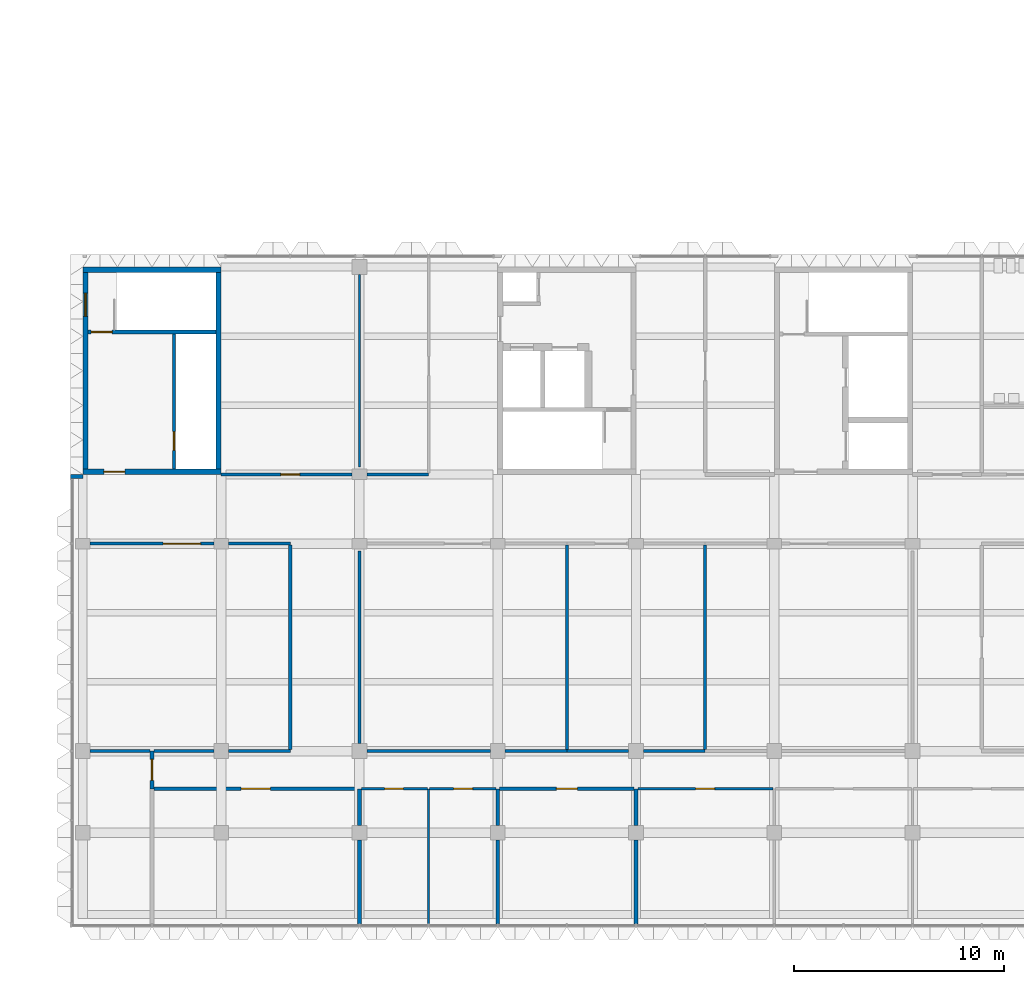
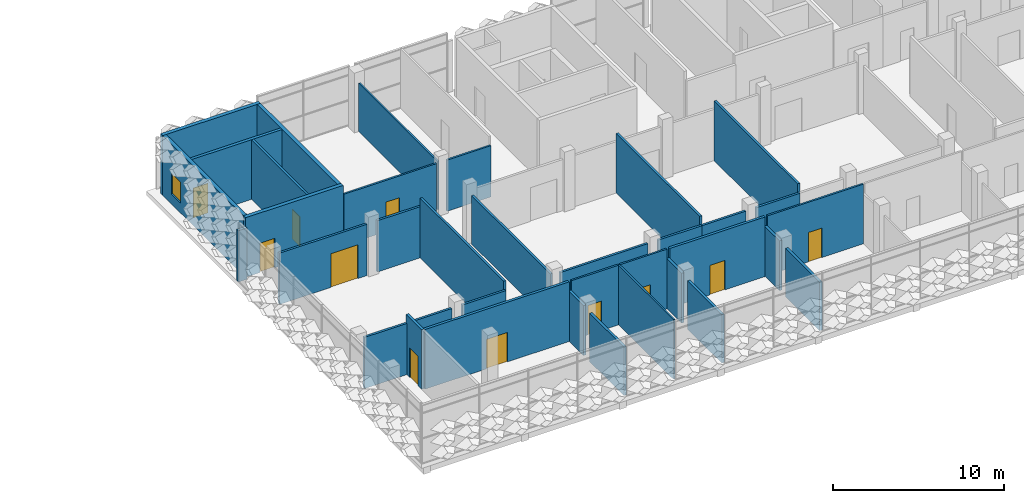
# One storey, part 18 of 61: 36 walls, 11 doors, 1 window, 12 openings.
"""IFC4 building model written with IfcOpenShell, lengths in metres."""

from ifc_helpers import new_model, si_unit, direction, frame, frame_2d, origin, place, context, subcontext, project, spatial, rectangle, extrude, material, layer, layer_set, type_object, element, fill, save


model = new_model("IFC4")

# Units and contexts
model_context = context("Model", 3, precision=1e-05, world=origin(), true_north=direction((0.0, 1.0)))
body_context = subcontext(model_context, "Body", "Model", "MODEL_VIEW")
ifc_project = project(units=[si_unit("LENGTHUNIT", "METRE"), si_unit("AREAUNIT", "SQUARE_METRE"), si_unit("VOLUMEUNIT", "CUBIC_METRE"), si_unit("PLANEANGLEUNIT", "RADIAN"), si_unit("MASSUNIT", "GRAM", prefix="KILO")], contexts=[model_context])

# Site, building, storey
site_placement = place(None, origin())
site = spatial("IfcSite", under=ifc_project, at=site_placement, CompositionType="ELEMENT")
building_placement = place(site_placement, origin())
building = spatial("IfcBuilding", under=site, at=building_placement, Name="Lantern Court Research Institute", CompositionType="ELEMENT")
storey_placement = place(building_placement, frame((0.0, 0.0, 23.39990234375)))
storey = spatial("IfcBuildingStorey", under=building, at=storey_placement, Name="L05", CompositionType="ELEMENT", Elevation=23.39990234375)

# Wall, opening, door
ifc_material_1 = material(Name="Double-stud acoustic gypsum board partition, mineral wool filled")
ifc_layer_1 = layer(ifc_material_1, 0.175048828125)
ifc_layer_set_1 = layer_set([ifc_layer_1], Name="Double-stud acoustic gypsum board partition, mineral wool filled")
wall_type_1 = type_object("IfcWallType", Name="Acoustic partition 175 EI 60", PredefinedType="PARTITIONING", material=ifc_layer_set_1)
wall_1_placement = place(storey_placement, frame((3.300048828125, -1.800048828125, 0.0), z_axis=(0.0, 0.0, 1.0), x_axis=(0.0, 1.0, 0.0)))
wall_1 = element("IfcWall", 1, at=wall_1_placement, inside=storey, type_object=wall_type_1, Name="Acoustic partition 175 EI 60", PredefinedType="PARTITIONING", context=body_context, shape_type="SweptSolid", body=[
    extrude(rectangle(XDim=1.800048828125, YDim=0.175048828125, at=frame_2d((0.89990234375, 0.0))), origin(), (0.0, 0.0, 1.0), 4.25),
])
opening_1_placement = place(wall_1_placement, frame((0.39990234375, 0.0, 0.0)))
opening_1 = element("IfcOpeningElement", 2, at=opening_1_placement, cuts=wall_1, Name="Opening D4512", PredefinedType="OPENING", context=body_context, shape_type="SweptSolid", body=[
    extrude(rectangle(XDim=1.0, YDim=2.10009765625, at=frame_2d((0.5, 1.050048828125))), frame((0.0, 0.097412109375, 0.0), z_axis=(0.0, -1.0, 0.0), x_axis=(1.0, 0.0, 0.0)), (0.0, 0.0, 1.0), 0.195068359375),
])
ifc_material_2 = material(Name="Solid-core timber door leaf", Category="wood")
ifc_layer_2 = layer(ifc_material_2, 0.053955078125)
ifc_layer_set_2 = layer_set([ifc_layer_2], Name="Solid-core timber door leaf")
door_type_1 = type_object("IfcDoorType", Name="Meeting room door 1000 x 2100 single FD30S", OperationType="NOTDEFINED", PredefinedType="DOOR", material=ifc_layer_set_2)
door_1_placement = place(opening_1_placement, origin())
door_1 = element("IfcDoor", 3, at=door_1_placement, inside=storey, type_object=door_type_1, Name="Door D4512", OperationType="SINGLE_SWING_LEFT", OverallHeight=2.10009765625, OverallWidth=1.0, PredefinedType="DOOR", context=body_context, shape_type="SweptSolid", body=[
    extrude(rectangle(XDim=1.0, YDim=2.10009765625, at=frame_2d((0.5, 1.050048828125))), frame((0.0, 0.02685546875, 0.0), z_axis=(0.0, -1.0, 0.0), x_axis=(1.0, 0.0, 0.0)), (0.0, 0.0, 1.0), 0.053955078125),
])
fill(opening_1, door_1)

# Walls
wall_2_placement = place(storey_placement, frame((13.199951171875, -8.25, 0.0), z_axis=(0.0, 0.0, 1.0), x_axis=(0.0, 1.0, 0.0)))
element("IfcWall", 4, at=wall_2_placement, inside=storey, type_object=wall_type_1, Name="Acoustic partition 175 EI 60", PredefinedType="PARTITIONING", context=body_context, shape_type="SweptSolid", body=[
    extrude(rectangle(XDim=4.0, YDim=0.175048828125, at=frame_2d((2.0, 0.0))), origin(), (0.0, 0.0, 1.0), 3.4501953125),
])
wall_3_placement = place(storey_placement, frame((13.199951171875, -3.550048828125, 0.0), z_axis=(0.0, 0.0, 1.0), x_axis=(0.0, 1.0, 0.0)))
element("IfcWall", 5, at=wall_3_placement, inside=storey, type_object=wall_type_1, Name="Acoustic partition 175 EI 60", PredefinedType="PARTITIONING", context=body_context, shape_type="SweptSolid", body=[
    extrude(rectangle(XDim=1.75, YDim=0.175048828125, at=frame_2d((0.875, 0.0))), origin(), (0.0, 0.0, 1.0), 3.550048828125),
])

# Wall, opening, door
wall_4_placement = place(storey_placement, frame((13.112548828125, -1.800048828125, 0.0), z_axis=(0.0, 0.0, 1.0), x_axis=(-1.0, 0.0, 0.0)))
wall_4 = element("IfcWall", 6, at=wall_4_placement, inside=storey, type_object=wall_type_1, Name="Acoustic partition 175 EI 60", PredefinedType="PARTITIONING", context=body_context, shape_type="SweptSolid", body=[
    extrude(rectangle(XDim=9.72509765625, YDim=0.175048828125, at=frame_2d((4.862548828125, 0.0))), origin(), (0.0, 0.0, 1.0), 4.25),
])
opening_2_placement = place(wall_4_placement, frame((4.16259765625, 0.0, 0.0)))
opening_2 = element("IfcOpeningElement", 7, at=opening_2_placement, cuts=wall_4, Name="Opening D4513", PredefinedType="OPENING", context=body_context, shape_type="SweptSolid", body=[
    extrude(rectangle(XDim=1.39990234375, YDim=2.10009765625, at=frame_2d((0.699951171875, 1.050048828125))), frame((0.0, 0.097412109375, 0.0), z_axis=(0.0, -1.0, 0.0), x_axis=(1.0, 0.0, 0.0)), (0.0, 0.0, 1.0), 0.195068359375),
])
ifc_material_3 = material(Name="Solid-core timber door leaf", Category="wood")
ifc_layer_3 = layer(ifc_material_3, 0.053955078125)
ifc_layer_set_3 = layer_set([ifc_layer_3], Name="Solid-core timber door leaf")
door_type_2 = type_object("IfcDoorType", Name="Seminar room door 1400 x 2100 pair FD30S", OperationType="DOUBLE_DOOR_SINGLE_SWING", PredefinedType="DOOR", material=ifc_layer_set_3)
door_2_placement = place(opening_2_placement, origin())
door_2 = element("IfcDoor", 8, at=door_2_placement, inside=storey, type_object=door_type_2, Name="Door D4513", OperationType="DOUBLE_DOOR_SINGLE_SWING", OverallHeight=2.10009765625, OverallWidth=1.39990234375, PredefinedType="DOOR", context=body_context, shape_type="SweptSolid", body=[
    extrude(rectangle(XDim=1.39990234375, YDim=2.10009765625, at=frame_2d((0.699951171875, 1.050048828125))), frame((0.0, 0.02685546875, 0.0), z_axis=(0.0, -1.0, 0.0), x_axis=(1.0, 0.0, 0.0)), (0.0, 0.0, 1.0), 0.053955078125),
])
fill(opening_2, door_2)

# Walls
wall_5_placement = place(storey_placement, frame((19.800048828125, -8.25, 0.0), z_axis=(0.0, 0.0, 1.0), x_axis=(0.0, 1.0, 0.0)))
element("IfcWall", 9, at=wall_5_placement, inside=storey, type_object=wall_type_1, Name="Acoustic partition 175 EI 60", PredefinedType="PARTITIONING", context=body_context, shape_type="SweptSolid", body=[
    extrude(rectangle(XDim=4.0, YDim=0.175048828125, at=frame_2d((2.0, 0.0))), origin(), (0.0, 0.0, 1.0), 3.4501953125),
])
wall_6_placement = place(storey_placement, frame((19.800048828125, -3.550048828125, 0.0), z_axis=(0.0, 0.0, 1.0), x_axis=(0.0, 1.0, 0.0)))
element("IfcWall", 10, at=wall_6_placement, inside=storey, type_object=wall_type_1, Name="Acoustic partition 175 EI 60", PredefinedType="PARTITIONING", context=body_context, shape_type="SweptSolid", body=[
    extrude(rectangle(XDim=1.75, YDim=0.175048828125, at=frame_2d((0.875, 0.0))), origin(), (0.0, 0.0, 1.0), 3.550048828125),
])
wall_7_placement = place(storey_placement, frame((26.39990234375, -8.25, 0.0), z_axis=(0.0, 0.0, 1.0), x_axis=(0.0, 1.0, 0.0)))
element("IfcWall", 11, at=wall_7_placement, inside=storey, type_object=wall_type_1, Name="Acoustic partition 175 EI 60", PredefinedType="PARTITIONING", context=body_context, shape_type="SweptSolid", body=[
    extrude(rectangle(XDim=4.0, YDim=0.175048828125, at=frame_2d((2.0, 0.0))), origin(), (0.0, 0.0, 1.0), 3.4501953125),
])
wall_8_placement = place(storey_placement, frame((26.39990234375, -3.550048828125, 0.0), z_axis=(0.0, 0.0, 1.0), x_axis=(0.0, 1.0, 0.0)))
element("IfcWall", 12, at=wall_8_placement, inside=storey, type_object=wall_type_1, Name="Acoustic partition 175 EI 60", PredefinedType="PARTITIONING", context=body_context, shape_type="SweptSolid", body=[
    extrude(rectangle(XDim=1.75, YDim=0.175048828125, at=frame_2d((0.875, 0.0))), origin(), (0.0, 0.0, 1.0), 3.550048828125),
])

# Wall, opening, door
wall_9_placement = place(storey_placement, frame((26.3125, -1.800048828125, 0.0), z_axis=(0.0, 0.0, 1.0), x_axis=(-1.0, 0.0, 0.0)))
wall_9 = element("IfcWall", 13, at=wall_9_placement, inside=storey, type_object=wall_type_1, Name="Acoustic partition 175 EI 60", PredefinedType="PARTITIONING", context=body_context, shape_type="SweptSolid", body=[
    extrude(rectangle(XDim=6.425048828125, YDim=0.175048828125, at=frame_2d((3.21240234375, 0.0))), origin(), (0.0, 0.0, 1.0), 4.25),
])
opening_3_placement = place(wall_9_placement, frame((2.71240234375, 0.0, 0.0)))
opening_3 = element("IfcOpeningElement", 14, at=opening_3_placement, cuts=wall_9, Name="Opening D4516", PredefinedType="OPENING", context=body_context, shape_type="SweptSolid", body=[
    extrude(rectangle(XDim=1.0, YDim=2.10009765625, at=frame_2d((0.5, 1.050048828125))), frame((0.0, 0.097412109375, 0.0), z_axis=(0.0, -1.0, 0.0), x_axis=(1.0, 0.0, 0.0)), (0.0, 0.0, 1.0), 0.195068359375),
])
door_3_placement = place(opening_3_placement, origin())
door_3 = element("IfcDoor", 15, at=door_3_placement, inside=storey, type_object=door_type_1, Name="Door D4516", OperationType="SINGLE_SWING_LEFT", OverallHeight=2.10009765625, OverallWidth=1.0, PredefinedType="DOOR", context=body_context, shape_type="SweptSolid", body=[
    extrude(rectangle(XDim=1.0, YDim=2.10009765625, at=frame_2d((0.5, 1.050048828125))), frame((0.0, 0.02685546875, 0.0), z_axis=(0.0, -1.0, 0.0), x_axis=(1.0, 0.0, 0.0)), (0.0, 0.0, 1.0), 0.053955078125),
])
fill(opening_3, door_3)

ifc_material_4 = material(Name="Fire-rated gypsum board partition, mineral wool filled")
ifc_layer_4 = layer(ifc_material_4, 0.125)
ifc_layer_set_4 = layer_set([ifc_layer_4], Name="Fire-rated gypsum board partition, mineral wool filled")
wall_type_2 = type_object("IfcWallType", Name="Corridor partition 125 EI 60", PredefinedType="PARTITIONING", material=ifc_layer_set_4)
wall_10_placement = place(storey_placement, frame((6.60009765625, 13.199951171875, 0.0), z_axis=(0.0, 0.0, 1.0), x_axis=(1.0, 0.0, 0.0)))
wall_10 = element("IfcWall", 16, at=wall_10_placement, inside=storey, type_object=wall_type_2, Name="Corridor partition 125 EI 60", PredefinedType="PARTITIONING", context=body_context, shape_type="SweptSolid", body=[
    extrude(rectangle(XDim=6.25, YDim=0.125, at=frame_2d((3.125, 0.0))), origin(), (0.0, 0.0, 1.0), 3.650146484375),
])
opening_4_placement = place(wall_10_placement, frame((2.849853515625, 0.0, 0.0)))
opening_4 = element("IfcOpeningElement", 17, at=opening_4_placement, cuts=wall_10, Name="Opening D4502", PredefinedType="OPENING", context=body_context, shape_type="SweptSolid", body=[
    extrude(rectangle(XDim=0.89990234375, YDim=2.10009765625, at=frame_2d((0.449951171875, 1.050048828125))), frame((0.0, 0.072509765625, 0.0), z_axis=(0.0, -1.0, 0.0), x_axis=(1.0, 0.0, 0.0)), (0.0, 0.0, 1.0), 0.14501953125),
])
ifc_material_5 = material(Name="Solid-core timber door leaf", Category="wood")
ifc_layer_5 = layer(ifc_material_5, 0.053955078125)
ifc_layer_set_5 = layer_set([ifc_layer_5], Name="Solid-core timber door leaf")
door_type_3 = type_object("IfcDoorType", Name="Office door 900 x 2100 single FD30S", OperationType="NOTDEFINED", PredefinedType="DOOR", material=ifc_layer_set_5)
door_4_placement = place(opening_4_placement, origin())
door_4 = element("IfcDoor", 18, at=door_4_placement, inside=storey, type_object=door_type_3, Name="Door D4502", OperationType="SINGLE_SWING_RIGHT", OverallHeight=2.10009765625, OverallWidth=0.89990234375, PredefinedType="DOOR", context=body_context, shape_type="SweptSolid", body=[
    extrude(rectangle(XDim=0.89990234375, YDim=2.10009765625, at=frame_2d((0.449951171875, 1.050048828125))), frame((0.0, 0.02685546875, 0.0), z_axis=(0.0, -1.0, 0.0), x_axis=(1.0, 0.0, 0.0)), (0.0, 0.0, 1.0), 0.053955078125),
])
fill(opening_4, door_4)

# Wall
wall_11_placement = place(storey_placement, frame((16.5, 13.199951171875, 0.0), z_axis=(0.0, 0.0, 1.0), x_axis=(-1.0, 0.0, 0.0)))
element("IfcWall", 19, at=wall_11_placement, inside=storey, type_object=wall_type_2, Name="Corridor partition 125 EI 60", PredefinedType="PARTITIONING", context=body_context, shape_type="SweptSolid", body=[
    extrude(rectangle(XDim=2.949951171875, YDim=0.125, at=frame_2d((1.47509765625, 0.0))), origin(), (0.0, 0.0, 1.0), 3.650146484375),
])

# Wall, opening, door
wall_12_placement = place(storey_placement, frame((16.445068359375, -1.800048828125, 0.0), z_axis=(0.0, 0.0, 1.0), x_axis=(-1.0, 0.0, 0.0)))
wall_12 = element("IfcWall", 20, at=wall_12_placement, inside=storey, type_object=wall_type_2, Name="Corridor partition 125 EI 60", PredefinedType="PARTITIONING", context=body_context, shape_type="SweptSolid", body=[
    extrude(rectangle(XDim=3.157470703125, YDim=0.125, at=frame_2d((1.57861328125, 0.0))), origin(), (0.0, 0.0, 1.0), 4.25),
])
opening_5_placement = place(wall_12_placement, frame((1.14501953125, 0.0, 0.0)))
opening_5 = element("IfcOpeningElement", 21, at=opening_5_placement, cuts=wall_12, Name="Opening D4514", PredefinedType="OPENING", context=body_context, shape_type="SweptSolid", body=[
    extrude(rectangle(XDim=0.89990234375, YDim=2.10009765625, at=frame_2d((0.449951171875, 1.050048828125))), frame((0.0, 0.072509765625, 0.0), z_axis=(0.0, -1.0, 0.0), x_axis=(1.0, 0.0, 0.0)), (0.0, 0.0, 1.0), 0.14501953125),
])
door_5_placement = place(opening_5_placement, origin())
door_5 = element("IfcDoor", 22, at=door_5_placement, inside=storey, type_object=door_type_3, Name="Door D4514", OperationType="SINGLE_SWING_LEFT", OverallHeight=2.10009765625, OverallWidth=0.89990234375, PredefinedType="DOOR", context=body_context, shape_type="SweptSolid", body=[
    extrude(rectangle(XDim=0.89990234375, YDim=2.10009765625, at=frame_2d((0.449951171875, 1.050048828125))), frame((0.0, 0.02685546875, 0.0), z_axis=(0.0, -1.0, 0.0), x_axis=(1.0, 0.0, 0.0)), (0.0, 0.0, 1.0), 0.053955078125),
])
fill(opening_5, door_5)

wall_13_placement = place(storey_placement, frame((19.71240234375, -1.800048828125, 0.0), z_axis=(0.0, 0.0, 1.0), x_axis=(-1.0, 0.0, 0.0)))
wall_13 = element("IfcWall", 23, at=wall_13_placement, inside=storey, type_object=wall_type_2, Name="Corridor partition 125 EI 60", PredefinedType="PARTITIONING", context=body_context, shape_type="SweptSolid", body=[
    extrude(rectangle(XDim=3.157470703125, YDim=0.125, at=frame_2d((1.57861328125, 0.0))), origin(), (0.0, 0.0, 1.0), 4.25),
])
opening_6_placement = place(wall_13_placement, frame((1.112548828125, 0.0, 0.0)))
opening_6 = element("IfcOpeningElement", 24, at=opening_6_placement, cuts=wall_13, Name="Opening D4515", PredefinedType="OPENING", context=body_context, shape_type="SweptSolid", body=[
    extrude(rectangle(XDim=0.89990234375, YDim=2.10009765625, at=frame_2d((0.449951171875, 1.050048828125))), frame((0.0, 0.072509765625, 0.0), z_axis=(0.0, -1.0, 0.0), x_axis=(1.0, 0.0, 0.0)), (0.0, 0.0, 1.0), 0.14501953125),
])
door_6_placement = place(opening_6_placement, origin())
door_6 = element("IfcDoor", 25, at=door_6_placement, inside=storey, type_object=door_type_3, Name="Door D4515", OperationType="SINGLE_SWING_LEFT", OverallHeight=2.10009765625, OverallWidth=0.89990234375, PredefinedType="DOOR", context=body_context, shape_type="SweptSolid", body=[
    extrude(rectangle(XDim=0.89990234375, YDim=2.10009765625, at=frame_2d((0.449951171875, 1.050048828125))), frame((0.0, 0.02685546875, 0.0), z_axis=(0.0, -1.0, 0.0), x_axis=(1.0, 0.0, 0.0)), (0.0, 0.0, 1.0), 0.053955078125),
])
fill(opening_6, door_6)

wall_14_placement = place(storey_placement, frame((32.945068359375, -1.800048828125, 0.0), z_axis=(0.0, 0.0, 1.0), x_axis=(-1.0, 0.0, 0.0)))
wall_14 = element("IfcWall", 26, at=wall_14_placement, inside=storey, type_object=wall_type_2, Name="Corridor partition 125 EI 60", PredefinedType="PARTITIONING", context=body_context, shape_type="SweptSolid", body=[
    extrude(rectangle(XDim=6.45751953125, YDim=0.125, at=frame_2d((3.228759765625, 0.0))), origin(), (0.0, 0.0, 1.0), 4.25),
])
opening_7_placement = place(wall_14_placement, frame((2.794921875, 0.0, 0.0)))
opening_7 = element("IfcOpeningElement", 27, at=opening_7_placement, cuts=wall_14, Name="Opening D4517", PredefinedType="OPENING", context=body_context, shape_type="SweptSolid", body=[
    extrude(rectangle(XDim=0.89990234375, YDim=2.10009765625, at=frame_2d((0.449951171875, 1.050048828125))), frame((0.0, 0.072509765625, 0.0), z_axis=(0.0, -1.0, 0.0), x_axis=(1.0, 0.0, 0.0)), (0.0, 0.0, 1.0), 0.14501953125),
])
door_7_placement = place(opening_7_placement, origin())
door_7 = element("IfcDoor", 28, at=door_7_placement, inside=storey, type_object=door_type_3, Name="Door D4517", OperationType="SINGLE_SWING_LEFT", OverallHeight=2.10009765625, OverallWidth=0.89990234375, PredefinedType="DOOR", context=body_context, shape_type="SweptSolid", body=[
    extrude(rectangle(XDim=0.89990234375, YDim=2.10009765625, at=frame_2d((0.449951171875, 1.050048828125))), frame((0.0, 0.02685546875, 0.0), z_axis=(0.0, -1.0, 0.0), x_axis=(1.0, 0.0, 0.0)), (0.0, 0.0, 1.0), 0.053955078125),
])
fill(opening_7, door_7)

ifc_material_6 = material(Name="Fire-rated gypsum board partition, mineral wool filled")
ifc_layer_6 = layer(ifc_material_6, 0.14990234375)
ifc_layer_set_6 = layer_set([ifc_layer_6], Name="Fire-rated gypsum board partition, mineral wool filled")
wall_type_3 = type_object("IfcWallType", Name="Laboratory partition 150 EI 60", PredefinedType="PARTITIONING", material=ifc_layer_set_6)
wall_15_placement = place(storey_placement, frame((0.35009765625, 9.89990234375, 0.0), z_axis=(0.0, 0.0, 1.0), x_axis=(1.0, 0.0, 0.0)))
wall_15 = element("IfcWall", 29, at=wall_15_placement, inside=storey, type_object=wall_type_3, Name="Laboratory partition 150 EI 60", PredefinedType="PARTITIONING", context=body_context, shape_type="SweptSolid", body=[
    extrude(rectangle(XDim=5.89990234375, YDim=0.14990234375, at=frame_2d((2.949951171875, 0.0))), origin(), (0.0, 0.0, 1.0), 3.650146484375),
])
opening_8_placement = place(wall_15_placement, frame((3.47509765625, 0.0, 0.0)))
opening_8 = element("IfcOpeningElement", 30, at=opening_8_placement, cuts=wall_15, Name="Opening D4522", PredefinedType="OPENING", context=body_context, shape_type="SweptSolid", body=[
    extrude(rectangle(XDim=1.800048828125, YDim=2.39990234375, at=frame_2d((0.89990234375, 1.199951171875))), frame((0.0, 0.0849609375, 0.0), z_axis=(0.0, -1.0, 0.0), x_axis=(1.0, 0.0, 0.0)), (0.0, 0.0, 1.0), 0.169921875),
])
ifc_material_7 = material(Name="Solid-core timber door leaf with vision panel", Category="wood")
ifc_layer_7 = layer(ifc_material_7, 0.053955078125)
ifc_layer_set_7 = layer_set([ifc_layer_7], Name="Solid-core timber door leaf with vision panel")
door_type_4 = type_object("IfcDoorType", Name="Laboratory equipment door 1800 x 2400 pair FD30S", OperationType="DOUBLE_DOOR_SINGLE_SWING", PredefinedType="DOOR", material=ifc_layer_set_7)
door_8_placement = place(opening_8_placement, origin())
door_8 = element("IfcDoor", 31, at=door_8_placement, inside=storey, type_object=door_type_4, Name="Door D4522", OperationType="DOUBLE_DOOR_SINGLE_SWING", OverallHeight=2.39990234375, OverallWidth=1.800048828125, PredefinedType="DOOR", context=body_context, shape_type="SweptSolid", body=[
    extrude(rectangle(XDim=1.800048828125, YDim=2.39990234375, at=frame_2d((0.89990234375, 1.199951171875))), frame((0.0, 0.02685546875, 0.0), z_axis=(0.0, -1.0, 0.0), x_axis=(1.0, 0.0, 0.0)), (0.0, 0.0, 1.0), 0.053955078125),
])
fill(opening_8, door_8)

# Walls
wall_16_placement = place(storey_placement, frame((6.949951171875, 9.89990234375, 0.0), z_axis=(0.0, 0.0, 1.0), x_axis=(1.0, 0.0, 0.0)))
element("IfcWall", 32, at=wall_16_placement, inside=storey, type_object=wall_type_3, Name="Laboratory partition 150 EI 60", PredefinedType="PARTITIONING", context=body_context, shape_type="SweptSolid", body=[
    extrude(rectangle(XDim=2.949951171875, YDim=0.14990234375, at=frame_2d((1.47509765625, 0.0))), origin(), (0.0, 0.0, 1.0), 3.650146484375),
])
wall_17_placement = place(storey_placement, frame((3.21240234375, 0.0, 0.0), z_axis=(0.0, 0.0, 1.0), x_axis=(-1.0, 0.0, 0.0)))
element("IfcWall", 33, at=wall_17_placement, inside=storey, type_object=wall_type_3, Name="Laboratory partition 150 EI 60", PredefinedType="PARTITIONING", context=body_context, shape_type="SweptSolid", body=[
    extrude(rectangle(XDim=2.8623046875, YDim=0.14990234375, at=frame_2d((1.43115234375, 0.0))), origin(), (0.0, 0.0, 1.0), 3.650146484375),
])
wall_18_placement = place(storey_placement, frame((9.89990234375, 0.0, 0.0), z_axis=(0.0, 0.0, 1.0), x_axis=(-1.0, 0.0, 0.0)))
element("IfcWall", 34, at=wall_18_placement, inside=storey, type_object=wall_type_3, Name="Laboratory partition 150 EI 60", PredefinedType="PARTITIONING", context=body_context, shape_type="SweptSolid", body=[
    extrude(rectangle(XDim=2.949951171875, YDim=0.14990234375, at=frame_2d((1.47509765625, 0.0))), origin(), (0.0, 0.0, 1.0), 3.650146484375),
])
wall_19_placement = place(storey_placement, frame((6.25, 0.0, 0.0), z_axis=(0.0, 0.0, 1.0), x_axis=(-1.0, 0.0, 0.0)))
element("IfcWall", 35, at=wall_19_placement, inside=storey, type_object=wall_type_3, Name="Laboratory partition 150 EI 60", PredefinedType="PARTITIONING", context=body_context, shape_type="SweptSolid", body=[
    extrude(rectangle(XDim=2.862548828125, YDim=0.14990234375, at=frame_2d((1.43115234375, 0.0))), origin(), (0.0, 0.0, 1.0), 3.650146484375),
])
wall_20_placement = place(storey_placement, frame((23.10009765625, 0.0, 0.0), z_axis=(0.0, 0.0, 1.0), x_axis=(-1.0, 0.0, 0.0)))
element("IfcWall", 36, at=wall_20_placement, inside=storey, type_object=wall_type_3, Name="Laboratory partition 150 EI 60", PredefinedType="PARTITIONING", context=body_context, shape_type="SweptSolid", body=[
    extrude(rectangle(XDim=2.9501953125, YDim=0.14990234375, at=frame_2d((1.47509765625, 0.0))), origin(), (0.0, 0.0, 1.0), 3.650146484375),
])
wall_21_placement = place(storey_placement, frame((19.449951171875, 0.0, 0.0), z_axis=(0.0, 0.0, 1.0), x_axis=(-1.0, 0.0, 0.0)))
element("IfcWall", 37, at=wall_21_placement, inside=storey, type_object=wall_type_3, Name="Laboratory partition 150 EI 60", PredefinedType="PARTITIONING", context=body_context, shape_type="SweptSolid", body=[
    extrude(rectangle(XDim=5.89990234375, YDim=0.14990234375, at=frame_2d((2.949951171875, 0.0))), origin(), (0.0, 0.0, 1.0), 3.650146484375),
])
for number, where, z_axis, x_axis, name in (
    (38, (29.699951171875, 0.0, 0.0), (0.0, 0.0, 1.0), (-1.0, 0.0, 0.0), "Laboratory partition 150 EI 60"),
    (39, (26.050048828125, 0.0, 0.0), (0.0, 0.0, 1.0), (-1.0, 0.0, 0.0), "Laboratory partition 150 EI 60"),
):
    element("IfcWall", number, at=place(storey_placement, frame(where, z_axis=z_axis, x_axis=x_axis)), inside=storey, type_object=wall_type_3, Name=name, PredefinedType="PARTITIONING", context=body_context, shape_type="SweptSolid", body=[
        extrude(rectangle(XDim=2.949951171875, YDim=0.14990234375, at=frame_2d((1.47509765625, 0.0))), origin(), (0.0, 0.0, 1.0), 3.650146484375),
    ])
wall_22_placement = place(storey_placement, frame((9.89990234375, 0.074951171875, 0.0), z_axis=(0.0, 0.0, 1.0), x_axis=(0.0, 1.0, 0.0)))
element("IfcWall", 40, at=wall_22_placement, inside=storey, type_object=wall_type_3, Name="Laboratory partition 150 EI 60", PredefinedType="PARTITIONING", context=body_context, shape_type="SweptSolid", body=[
    extrude(rectangle(XDim=9.75, YDim=0.14990234375, at=frame_2d((4.875, 0.0))), origin(), (0.0, 0.0, 1.0), 4.25),
])
wall_23_placement = place(storey_placement, frame((13.199951171875, 0.35009765625, 0.0), z_axis=(0.0, 0.0, 1.0), x_axis=(0.0, 1.0, 0.0)))
element("IfcWall", 41, at=wall_23_placement, inside=storey, type_object=wall_type_3, Name="Laboratory partition 150 EI 60", PredefinedType="PARTITIONING", context=body_context, shape_type="SweptSolid", body=[
    extrude(rectangle(XDim=9.199951171875, YDim=0.14990234375, at=frame_2d((4.60009765625, 0.0))), origin(), (0.0, 0.0, 1.0), 3.4501953125),
])
for number, where, z_axis, x_axis, name in (
    (42, (23.10009765625, 0.074951171875, 0.0), (0.0, 0.0, 1.0), (0.0, 1.0, 0.0), "Laboratory partition 150 EI 60"),
    (43, (29.699951171875, 0.074951171875, 0.0), (0.0, 0.0, 1.0), (0.0, 1.0, 0.0), "Laboratory partition 150 EI 60"),
):
    element("IfcWall", number, at=place(storey_placement, frame(where, z_axis=z_axis, x_axis=x_axis)), inside=storey, type_object=wall_type_3, Name=name, PredefinedType="PARTITIONING", context=body_context, shape_type="SweptSolid", body=[
        extrude(rectangle(XDim=9.75, YDim=0.14990234375, at=frame_2d((4.875, 0.0))), origin(), (0.0, 0.0, 1.0), 4.25),
    ])
ifc_material_8 = material(Name="Fire-rated gypsum board partition, mineral wool filled")
ifc_layer_8 = layer(ifc_material_8, 0.110107421875)
ifc_layer_set_8 = layer_set([ifc_layer_8], Name="Fire-rated gypsum board partition, mineral wool filled")
wall_type_4 = type_object("IfcWallType", Name="Office partition 110 EI 30", PredefinedType="PARTITIONING", material=ifc_layer_set_8)
wall_24_placement = place(storey_placement, frame((13.199951171875, 13.550048828125, 0.0), z_axis=(0.0, 0.0, 1.0), x_axis=(0.0, 1.0, 0.0)))
element("IfcWall", 44, at=wall_24_placement, inside=storey, type_object=wall_type_4, Name="Office partition 110 EI 30", PredefinedType="PARTITIONING", context=body_context, shape_type="SweptSolid", body=[
    extrude(rectangle(XDim=9.199951171875, YDim=0.110107421875, at=frame_2d((4.60009765625, 0.0))), origin(), (0.0, 0.0, 1.0), 3.4501953125),
])
wall_25_placement = place(storey_placement, frame((16.5, -8.25, 0.0), z_axis=(0.0, 0.0, 1.0), x_axis=(0.0, 1.0, 0.0)))
element("IfcWall", 45, at=wall_25_placement, inside=storey, type_object=wall_type_4, Name="Office partition 110 EI 30", PredefinedType="PARTITIONING", context=body_context, shape_type="SweptSolid", body=[
    extrude(rectangle(XDim=6.449951171875, YDim=0.110107421875, at=frame_2d((3.22509765625, 0.0))), origin(), (0.0, 0.0, 1.0), 4.25),
])

# Wall, opening, door
ifc_material_9 = material(Name="Concrete C40/50", Category="concrete")
ifc_layer_9 = layer(ifc_material_9, 0.25)
ifc_layer_set_9 = layer_set([ifc_layer_9], Name="Concrete C40/50")
wall_type_5 = type_object("IfcWallType", Name="RC core wall 250", PredefinedType="SHEAR", material=ifc_layer_set_9)
wall_26_placement = place(storey_placement, frame((0.0, 13.324951171875, 0.0), z_axis=(0.0, 0.0, 1.0), x_axis=(1.0, 0.0, 0.0)))
wall_26 = element("IfcWall", 46, at=wall_26_placement, inside=storey, type_object=wall_type_5, Name="South wall of core BC-W", PredefinedType="SHEAR", context=body_context, shape_type="SweptSolid", body=[
    extrude(rectangle(XDim=6.60009765625, YDim=0.25, at=frame_2d((3.300048828125, 0.0))), origin(), (0.0, 0.0, 1.0), 4.25),
])
opening_9_placement = place(wall_26_placement, frame((1.0, 0.0, 0.0)))
opening_9 = element("IfcOpeningElement", 47, at=opening_9_placement, cuts=wall_26, Name="Opening D7021", PredefinedType="OPENING", context=body_context, shape_type="SweptSolid", body=[
    extrude(rectangle(XDim=1.0, YDim=2.10009765625, at=frame_2d((0.5, 1.050048828125))), frame((0.0, 0.135009765625, 0.0), z_axis=(0.0, -1.0, 0.0), x_axis=(1.0, 0.0, 0.0)), (0.0, 0.0, 1.0), 0.27001953125),
])
ifc_material_10 = material(Name="Steel fire door leaf with smoke seals", Category="steel")
door_type_5 = type_object("IfcDoorType", Name="Door 1000 x 2100 fire rated FD60S", OperationType="NOTDEFINED", PredefinedType="DOOR", material=ifc_material_10)
door_9_placement = place(opening_9_placement, origin())
door_9 = element("IfcDoor", 48, at=door_9_placement, inside=storey, type_object=door_type_5, Name="Lobby door", OperationType="SINGLE_SWING_RIGHT", OverallHeight=2.10009765625, OverallWidth=1.0, PredefinedType="DOOR", context=body_context, shape_type="SweptSolid", body=[
    extrude(rectangle(XDim=1.0, YDim=2.10009765625, at=frame_2d((0.5, 1.050048828125))), frame((0.0, 0.02490234375, 0.0), z_axis=(0.0, -1.0, 0.0), x_axis=(1.0, 0.0, 0.0)), (0.0, 0.0, 1.0), 0.050048828125),
])
fill(opening_9, door_9)

# Walls
wall_27_placement = place(storey_placement, frame((6.47509765625, 13.449951171875, 0.0), z_axis=(0.0, 0.0, 1.0), x_axis=(0.0, 1.0, 0.0)))
element("IfcWall", 49, at=wall_27_placement, inside=storey, type_object=wall_type_5, Name="East wall of core BC-W", PredefinedType="SHEAR", context=body_context, shape_type="SweptSolid", body=[
    extrude(rectangle(XDim=9.400146484375, YDim=0.25, at=frame_2d((4.7001953125, 0.0))), origin(), (0.0, 0.0, 1.0), 4.25),
])
ifc_material_11 = material(Name="Concrete C40/50", Category="concrete")
ifc_layer_10 = layer(ifc_material_11, 0.25)
ifc_layer_set_10 = layer_set([ifc_layer_10], Name="Concrete C40/50")
wall_type_6 = type_object("IfcWallType", Name="RC core wall 250 facade", PredefinedType="SHEAR", material=ifc_layer_set_10)
wall_28_placement = place(storey_placement, frame((0.0, 22.97509765625, 0.0), z_axis=(0.0, 0.0, 1.0), x_axis=(1.0, 0.0, 0.0)))
element("IfcWall", 50, at=wall_28_placement, inside=storey, type_object=wall_type_6, Name="North wall of core BC-W", PredefinedType="SHEAR", context=body_context, shape_type="SweptSolid", body=[
    extrude(rectangle(XDim=6.60009765625, YDim=0.25, at=frame_2d((3.300048828125, 0.0))), origin(), (0.0, 0.0, 1.0), 4.25),
])

# Wall, opening, window
wall_29_placement = place(storey_placement, frame((0.125, 13.449951171875, 0.0), z_axis=(0.0, 0.0, 1.0), x_axis=(0.0, 1.0, 0.0)))
wall_29 = element("IfcWall", 51, at=wall_29_placement, inside=storey, type_object=wall_type_6, Name="West wall of core BC-W", PredefinedType="SHEAR", context=body_context, shape_type="SweptSolid", body=[
    extrude(rectangle(XDim=9.400146484375, YDim=0.25, at=frame_2d((4.7001953125, 0.0))), origin(), (0.0, 0.0, 1.0), 4.25),
])
opening_10_placement = place(wall_29_placement, frame((7.300048828125, 0.0, 0.699951171875)))
opening_10 = element("IfcOpeningElement", 52, at=opening_10_placement, cuts=wall_29, Name="Opening W5", PredefinedType="OPENING", context=body_context, shape_type="SweptSolid", body=[
    extrude(rectangle(XDim=1.10009765625, YDim=1.5, at=frame_2d((0.550048828125, 0.75))), frame((0.0, 0.135009765625, 0.0), z_axis=(0.0, -1.0, 0.0), x_axis=(1.0, 0.0, 0.0)), (0.0, 0.0, 1.0), 0.27001953125),
])
ifc_material_12 = material(Name="Aluminium alloy 6063-T6 frame with laminated glass", Category="aluminium")
window_type = type_object("IfcWindowType", Name="Stair window 1100 x 1500", PartitioningType="SINGLE_PANEL", PredefinedType="WINDOW", material=ifc_material_12)
window_placement = place(opening_10_placement, origin())
window = element("IfcWindow", 53, at=window_placement, inside=storey, type_object=window_type, Name="Stair window", OverallHeight=1.5, OverallWidth=1.10009765625, PartitioningType="SINGLE_PANEL", PredefinedType="WINDOW", context=body_context, shape_type="SweptSolid", body=[
    extrude(rectangle(XDim=1.10009765625, YDim=1.5, at=frame_2d((0.550048828125, 0.75))), frame((0.0, 0.030029296875, 0.0), z_axis=(0.0, -1.0, 0.0), x_axis=(1.0, 0.0, 0.0)), (0.0, 0.0, 1.0), 0.06005859375),
])
fill(opening_10, window)

# Wall, opening, door
ifc_material_13 = material(Name="Concrete C40/50", Category="concrete")
ifc_layer_11 = layer(ifc_material_13, 0.14990234375)
ifc_layer_set_11 = layer_set([ifc_layer_11], Name="Concrete C40/50")
wall_type_7 = type_object("IfcWallType", Name="RC shaft wall 150", PredefinedType="SHEAR", material=ifc_layer_set_11)
wall_30_placement = place(storey_placement, frame((4.35009765625, 13.449951171875, 0.0), z_axis=(0.0, 0.0, 1.0), x_axis=(0.0, 1.0, 0.0)))
wall_30 = element("IfcWall", 54, at=wall_30_placement, inside=storey, type_object=wall_type_7, Name="Riser wall of core BC-W", PredefinedType="SHEAR", context=body_context, shape_type="SweptSolid", body=[
    extrude(rectangle(XDim=6.449951171875, YDim=0.14990234375, at=frame_2d((3.22509765625, 0.0))), origin(), (0.0, 0.0, 1.0), 4.25),
])
opening_11_placement = place(wall_30_placement, frame((0.89990234375, 0.0, 0.0)))
opening_11 = element("IfcOpeningElement", 55, at=opening_11_placement, cuts=wall_30, Name="Opening D7020", PredefinedType="OPENING", context=body_context, shape_type="SweptSolid", body=[
    extrude(rectangle(XDim=0.89990234375, YDim=2.10009765625, at=frame_2d((0.449951171875, 1.050048828125))), frame((0.0, 0.0849609375, 0.0), z_axis=(0.0, -1.0, 0.0), x_axis=(1.0, 0.0, 0.0)), (0.0, 0.0, 1.0), 0.169921875),
])
ifc_material_14 = material(Name="Steel fire door leaf", Category="steel")
door_type_6 = type_object("IfcDoorType", Name="Door 900 x 2100 fire rated FD60", OperationType="NOTDEFINED", PredefinedType="DOOR", material=ifc_material_14)
door_10_placement = place(opening_11_placement, origin())
door_10 = element("IfcDoor", 56, at=door_10_placement, inside=storey, type_object=door_type_6, Name="Riser door", OperationType="SINGLE_SWING_RIGHT", OverallHeight=2.10009765625, OverallWidth=0.89990234375, PredefinedType="DOOR", context=body_context, shape_type="SweptSolid", body=[
    extrude(rectangle(XDim=0.89990234375, YDim=2.10009765625, at=frame_2d((0.449951171875, 1.050048828125))), frame((0.0, 0.02490234375, 0.0), z_axis=(0.0, -1.0, 0.0), x_axis=(1.0, 0.0, 0.0)), (0.0, 0.0, 1.0), 0.050048828125),
])
fill(opening_11, door_10)

ifc_material_15 = material(Name="Concrete C40/50", Category="concrete")
ifc_layer_12 = layer(ifc_material_15, 0.199951171875)
ifc_layer_set_12 = layer_set([ifc_layer_12], Name="Concrete C40/50")
wall_type_8 = type_object("IfcWallType", Name="RC shaft wall 200", PredefinedType="SHEAR", material=ifc_layer_set_12)
wall_31_placement = place(storey_placement, frame((0.25, 20.0, 0.0), z_axis=(0.0, 0.0, 1.0), x_axis=(1.0, 0.0, 0.0)))
wall_31 = element("IfcWall", 57, at=wall_31_placement, inside=storey, type_object=wall_type_8, Name="Stair wall of core BC-W", PredefinedType="SHEAR", context=body_context, shape_type="SweptSolid", body=[
    extrude(rectangle(XDim=6.10009765625, YDim=0.199951171875, at=frame_2d((3.050048828125, 0.0))), origin(), (0.0, 0.0, 1.0), 4.25),
])
opening_12_placement = place(wall_31_placement, frame((0.14990234375, 0.0, 0.0)))
opening_12 = element("IfcOpeningElement", 58, at=opening_12_placement, cuts=wall_31, Name="Opening D7022", PredefinedType="OPENING", context=body_context, shape_type="SweptSolid", body=[
    extrude(rectangle(XDim=1.0, YDim=2.10009765625, at=frame_2d((0.5, 1.050048828125))), frame((0.0, 0.10986328125, 0.0), z_axis=(0.0, -1.0, 0.0), x_axis=(1.0, 0.0, 0.0)), (0.0, 0.0, 1.0), 0.219970703125),
])
door_11_placement = place(opening_12_placement, origin())
door_11 = element("IfcDoor", 59, at=door_11_placement, inside=storey, type_object=door_type_5, Name="Stair door", OperationType="SINGLE_SWING_RIGHT", OverallHeight=2.10009765625, OverallWidth=1.0, PredefinedType="DOOR", context=body_context, shape_type="SweptSolid", body=[
    extrude(rectangle(XDim=1.0, YDim=2.10009765625, at=frame_2d((0.5, 1.050048828125))), frame((0.0, 0.02490234375, 0.0), z_axis=(0.0, -1.0, 0.0), x_axis=(1.0, 0.0, 0.0)), (0.0, 0.0, 1.0), 0.050048828125),
])
fill(opening_12, door_11)

# Wall
ifc_material_16 = material(Name="Concrete C40/50", Category="concrete")
ifc_layer_13 = layer(ifc_material_16, 0.199951171875)
ifc_layer_set_13 = layer_set([ifc_layer_13], Name="Concrete C40/50")
wall_type_9 = type_object("IfcWallType", Name="Return wall 200 concrete EI 120 aluminium faced", PredefinedType="STANDARD", material=ifc_layer_set_13)
wall_32_placement = place(storey_placement, frame((0.0, 13.10009765625, 0.0), z_axis=(0.0, 0.0, 1.0), x_axis=(-1.0, 0.0, 0.0)))
element("IfcWall", 60, at=wall_32_placement, inside=storey, type_object=wall_type_9, Name="Core return wall 51", PredefinedType="STANDARD", context=body_context, shape_type="SweptSolid", body=[
    extrude(rectangle(XDim=0.60009765625, YDim=0.199951171875, at=frame_2d((0.300048828125, 0.0))), origin(), (0.0, 0.0, 1.0), 3.650146484375),
])

save(model, "model.ifc")
